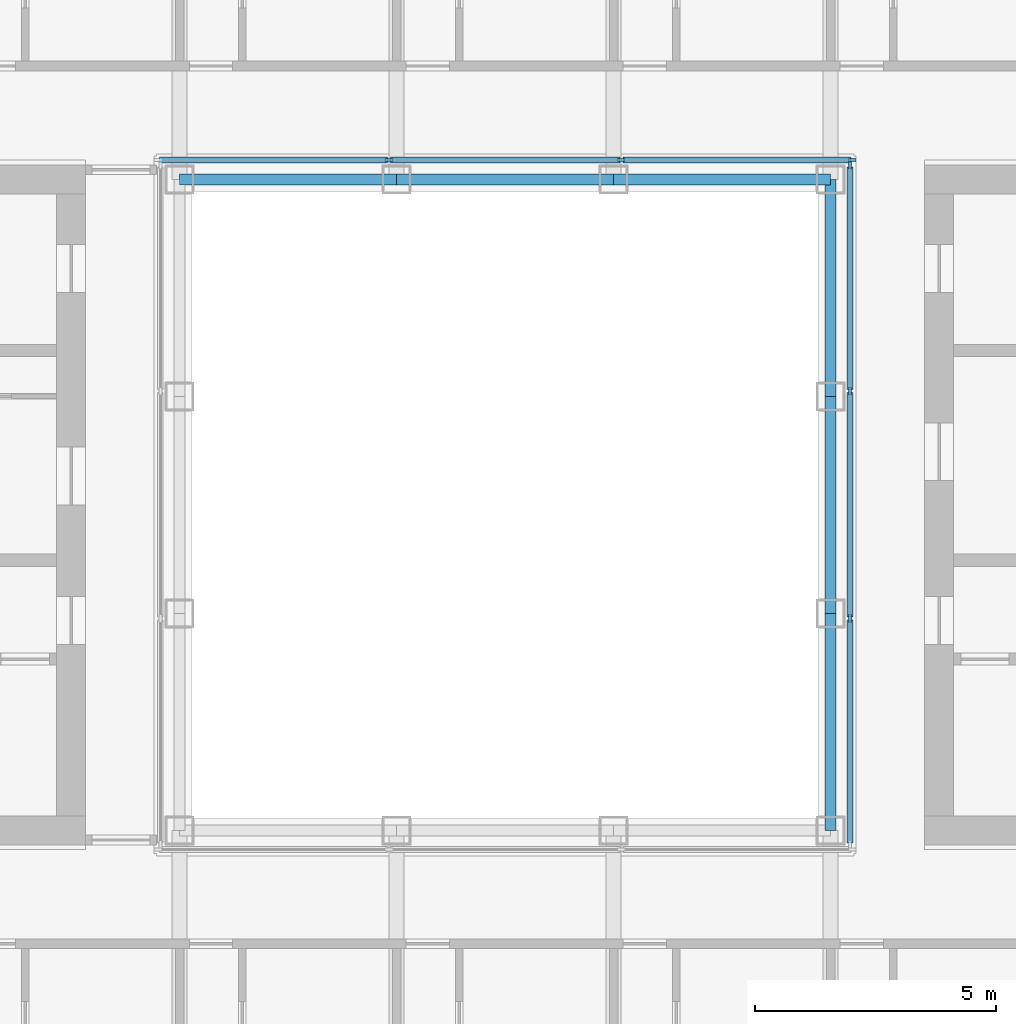
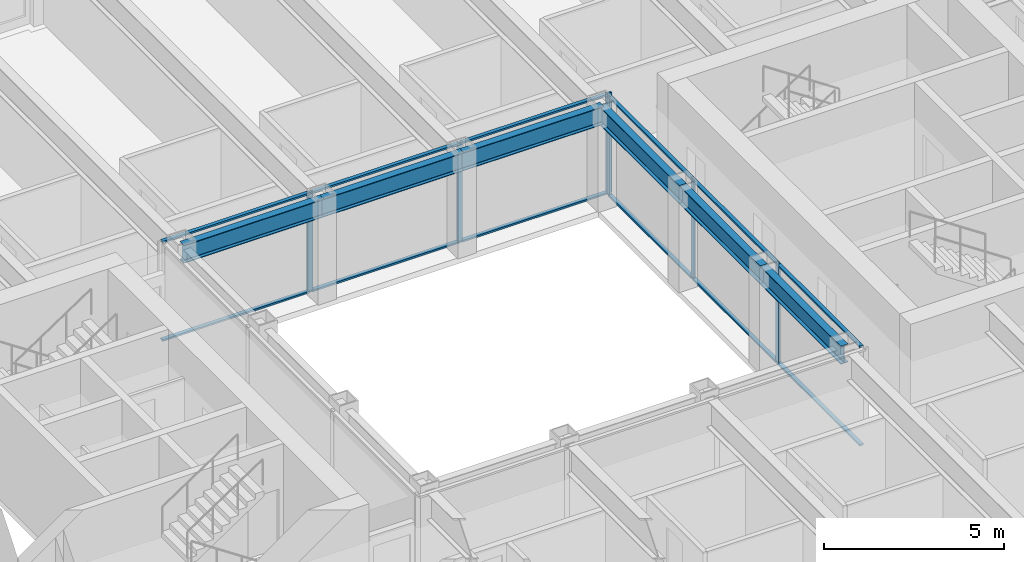
# One storey, part 5 of 18: 18 members, 6 beams, 2 elements without a shape of their own.
"""IFC4 building model written with IfcOpenShell, lengths in metres."""

import ifcopenshell
import ifcopenshell.guid

model = None  # the IFC model being written
_history = None  # IfcOwnerHistory: only IFC2X3 demands one
_inside = {}  # id of a spatial element -> (the spatial element, [elements in it])
_under = {}  # id of a project, library or spatial element -> (it, [spatial elements below it])
_declared = {}  # id of a project -> (the project, [libraries it declares])
_typed = {}  # id of a type object -> (the type object, [elements of that type])
_made_of = {}  # id of a material, layer set ... -> (it, [elements and type objects made of it])


def new_model(schema):
    """Start an empty IFC model of exactly this schema.

    Asked for "IFC4X3", IfcOpenShell would pick the latest addendum, in which some entities
    have other attributes; the version numbers below select the first issue.
    IFC2X3 requires an IfcOwnerHistory on every rooted entity: one is made here for all.
    """
    global model, _history
    if schema == "IFC4X3":
        model = ifcopenshell.file(schema_version=(4, 3, 0, 0))
    else:
        model = ifcopenshell.file(schema=schema)
    _inside.clear()
    _under.clear()
    _declared.clear()
    _typed.clear()
    _made_of.clear()
    _history = None
    if model.schema == "IFC2X3":
        org = make("IfcOrganization", Name="unknown")
        user = make(
            "IfcPersonAndOrganization",
            ThePerson=make("IfcPerson", FamilyName="unknown"),
            TheOrganization=org,
        )
        app = make(
            "IfcApplication",
            ApplicationDeveloper=org,
            Version="unknown",
            ApplicationFullName="unknown",
            ApplicationIdentifier="unknown",
        )
        _history = make(
            "IfcOwnerHistory",
            OwningUser=user,
            OwningApplication=app,
            ChangeAction="ADDED",
            CreationDate=0,
        )
    return model


def make(cls, **values):
    """One entity of the class cls with the attributes given. An attribute that is None is left unset."""
    return model.create_entity(
        cls, **{name: value for name, value in values.items() if value is not None}
    )


def rooted(cls, **values):
    """An entity with a GlobalId (a new one), such as an element, a storey or a relation."""
    return make(cls, GlobalId=ifcopenshell.guid.new(), OwnerHistory=_history, **values)


def si_unit(unit_type, name, prefix=None):
    """IfcSIUnit, for example si_unit("LENGTHUNIT", "METRE", prefix="MILLI")."""
    return make("IfcSIUnit", UnitType=unit_type, Prefix=prefix, Name=name)


def assignment(units):
    """IfcUnitAssignment: the units of a project."""
    return None if units is None else make("IfcUnitAssignment", Units=units)


def point(xyz):
    """IfcCartesianPoint."""
    return None if xyz is None else make("IfcCartesianPoint", Coordinates=xyz)


def direction(xyz):
    """IfcDirection."""
    return None if xyz is None else make("IfcDirection", DirectionRatios=xyz)


def frame(location, z_axis=None, x_axis=None):
    """IfcAxis2Placement3D, a coordinate frame: its origin and axes. An axis left out is left unset."""
    return make(
        "IfcAxis2Placement3D",
        Location=point(location),
        Axis=direction(z_axis),
        RefDirection=direction(x_axis),
    )


def frame_2d(location, x_axis=None):
    """IfcAxis2Placement2D, a coordinate frame in the plane: its origin and x axis."""
    return make(
        "IfcAxis2Placement2D", Location=point(location), RefDirection=direction(x_axis)
    )


def origin():
    """The frame at (0, 0, 0) with its axes left unset."""
    return frame((0.0, 0.0, 0.0))


def origin_2d():
    """The frame at (0, 0) in the plane with its x axis left unset."""
    return frame_2d((0.0, 0.0))


def place(relative_to, where):
    """IfcLocalPlacement: puts the frame where relative to a parent placement (None: the world)."""
    return make(
        "IfcLocalPlacement", PlacementRelTo=relative_to, RelativePlacement=where
    )


def context(
    kind, dimensions, precision=None, world=None, true_north=None, identifier=None
):
    """IfcGeometricRepresentationContext, for example the 3D "Model" context."""
    return make(
        "IfcGeometricRepresentationContext",
        ContextIdentifier=identifier,
        ContextType=kind,
        CoordinateSpaceDimension=dimensions,
        Precision=precision,
        WorldCoordinateSystem=world,
        TrueNorth=true_north,
    )


def subcontext(parent, identifier, kind, view, scale=None):
    """IfcGeometricRepresentationSubContext, for example "Body" below "Model"."""
    return make(
        "IfcGeometricRepresentationSubContext",
        ContextIdentifier=identifier,
        ContextType=kind,
        ParentContext=parent,
        TargetScale=scale,
        TargetView=view,
    )


def project(units=None, contexts=None):
    """IfcProject with its units and contexts."""
    return rooted(
        "IfcProject",
        Name="project",
        RepresentationContexts=contexts,
        UnitsInContext=assignment(units),
    )


def spatial(cls, under=None, at=None, **own):
    """A site, building, storey or space (cls), placed at a placement, below another one or the project."""
    s = rooted(cls, ObjectPlacement=at, **own)
    if under is not None:
        _under.setdefault(under.id(), (under, []))[1].append(s)
    return s


def profile(cls, at=None, kind="AREA", **sizes):
    """A parametric profile (cls). Its sizes go by their IFC names, for example OverallWidth=200.0."""
    return make(cls, ProfileType=kind, Position=at, **sizes)


def rectangle(**sizes):
    """IfcRectangleProfileDef."""
    return profile("IfcRectangleProfileDef", **sizes)


def i_section(**sizes):
    """IfcIShapeProfileDef."""
    return profile("IfcIShapeProfileDef", **sizes)


def extrude(swept, where, along, depth):
    """IfcExtrudedAreaSolid: the profile swept, set in the frame where, extruded along a direction by depth."""
    return make(
        "IfcExtrudedAreaSolid",
        SweptArea=swept,
        Position=where,
        ExtrudedDirection=direction(along),
        Depth=depth,
    )


def shape(context_of_items, identifier, shape_type, items):
    """IfcShapeRepresentation: the items that make up one representation, for example the "Body"."""
    return make(
        "IfcShapeRepresentation",
        ContextOfItems=context_of_items,
        RepresentationIdentifier=identifier,
        RepresentationType=shape_type,
        Items=items,
    )


def material(Name=None, Category=None):
    """IfcMaterial."""
    return make("IfcMaterial", Name=Name, Category=Category)


def material_profile(
    of_material, cross_section, Name=None, Category=None, Priority=None
):
    """IfcMaterialProfile: a cross section and its material."""
    return make(
        "IfcMaterialProfile",
        Name=Name,
        Material=of_material,
        Profile=cross_section,
        Priority=Priority,
        Category=Category,
    )


def profile_set(profiles, Name=None, composite=None):
    """IfcMaterialProfileSet."""
    return make(
        "IfcMaterialProfileSet",
        Name=Name,
        MaterialProfiles=profiles,
        CompositeProfile=composite,
    )


def made_of(thing, what):
    """Note that an element or type object is made of a material, layer set ...; save() writes the relation."""
    if what is not None:
        _made_of.setdefault(what.id(), (what, []))[1].append(thing)
    return thing


def type_object(cls, material=None, **own):
    """A type object (cls), such as IfcWallType, which elements share."""
    return made_of(rooted(cls, **own), material)


def element(
    cls,
    number,
    at=None,
    inside=None,
    cuts=None,
    type_object=None,
    material=None,
    context=None,
    identifier="Body",
    shape_type=None,
    held_by="IfcProductDefinitionShape",
    body=None,
    shapes=None,
    **own,
):
    """One element of the class cls, such as IfcWall. Its Tag is "e" and its number.

    at: its placement. inside: the storey or other place that contains it. cuts: it is an
    opening in that element (IfcRelVoidsElement). A single representation is given by context,
    identifier, shape_type and body (its items); several are given by shapes. held_by: the class
    of the entity that holds the representations. save() writes the other relations.
    """
    e = rooted(cls, Tag="e%d" % number, ObjectPlacement=at, **own)
    if body is not None:
        shapes = [shape(context, identifier, shape_type, body)]
    if shapes is not None:
        e.Representation = make(held_by, Representations=shapes)
    if inside is not None:
        _inside.setdefault(inside.id(), (inside, []))[1].append(e)
    if cuts is not None:
        rooted(
            "IfcRelVoidsElement", RelatingBuildingElement=cuts, RelatedOpeningElement=e
        )
    if type_object is not None:
        _typed.setdefault(type_object.id(), (type_object, []))[1].append(e)
    return made_of(e, material)


def aggregate(whole, parts):
    """IfcRelAggregates: a whole, such as a stair, and the parts it consists of."""
    return rooted("IfcRelAggregates", RelatingObject=whole, RelatedObjects=parts)


def save(model, path):
    """Write the relations noted so far, then the file.

    IfcRelAggregates (storeys below a building ...), IfcRelContainedInSpatialStructure (elements
    in a storey), IfcRelDefinesByType, IfcRelAssociatesMaterial and IfcRelDeclares: one each for
    every whole, place, type object, material and project.
    """
    for whole, parts in _under.values():
        aggregate(whole, parts)
    for where, things in _inside.values():
        rooted(
            "IfcRelContainedInSpatialStructure",
            RelatedElements=things,
            RelatingStructure=where,
        )
    for kind, things in _typed.values():
        rooted("IfcRelDefinesByType", RelatedObjects=things, RelatingType=kind)
    for what, things in _made_of.values():
        rooted("IfcRelAssociatesMaterial", RelatedObjects=things, RelatingMaterial=what)
    for by, libraries in _declared.values():
        rooted("IfcRelDeclares", RelatingContext=by, RelatedDefinitions=libraries)
    model.write(path)


model = new_model("IFC4")

# Units and contexts
model_context = context("Model", 3, precision=1e-05, world=origin(), true_north=direction((0.0, 1.0)))
body_context = subcontext(model_context, "Body", "Model", "MODEL_VIEW")
ifc_project = project(units=[si_unit("LENGTHUNIT", "METRE"), si_unit("AREAUNIT", "SQUARE_METRE"), si_unit("VOLUMEUNIT", "CUBIC_METRE"), si_unit("PLANEANGLEUNIT", "RADIAN"), si_unit("MASSUNIT", "GRAM", prefix="KILO")], contexts=[model_context])

# Site, building, storey
site_placement = place(None, origin())
site = spatial("IfcSite", under=ifc_project, at=site_placement, CompositionType="ELEMENT")
building_placement = place(site_placement, origin())
building = spatial("IfcBuilding", under=site, at=building_placement, Name="Msasa Ring Tower", CompositionType="ELEMENT")
storey_placement = place(building_placement, frame((0.0, 0.0, 125.60009765625)))
storey = spatial("IfcBuildingStorey", under=building, at=storey_placement, Name="L32", CompositionType="ELEMENT", Elevation=125.60009765625)

# Curtain wall, members
ifc_material_1 = material(Name="Aluminium curtain wall with clear glass", Category="aluminium")
curtain_wall_type = type_object("IfcCurtainWallType", Name="CW-W LIGHT WELL CURTAIN WALL", PredefinedType="NOTDEFINED", material=ifc_material_1)
curtain_wall_1_placement = place(storey_placement, origin())
curtain_wall_1 = element("IfcCurtainWall", 1, at=curtain_wall_1_placement, inside=storey, type_object=curtain_wall_type, Name="Light well curtain wall N L32", PredefinedType="NOTDEFINED")
ifc_material_2 = material(Name="Aluminium mullion", Category="aluminium")
ifc_material_profile_1 = material_profile(ifc_material_2, rectangle(XDim=0.06005859375, YDim=0.159912109375, at=origin_2d()), Name="AL 60x160")
ifc_profile_set_1 = profile_set([ifc_material_profile_1], Name="Aluminium mullion")
member_type_1 = type_object("IfcMemberType", Name="CW-W MULLION 60x160", PredefinedType="MULLION", material=ifc_profile_set_1)
member_1_placement = place(storey_placement, frame((-2.409912109375, 7.14990234375, 0.0), z_axis=(0.0, 0.0, 1.0), x_axis=(0.0, 1.0, 0.0)))
member_1 = element("IfcMember", 2, at=member_1_placement, type_object=member_type_1, Name="CW-W mullion 2", PredefinedType="MULLION", context=body_context, shape_type="SweptSolid", body=[
    extrude(rectangle(XDim=0.06005859375, YDim=0.159912109375, at=origin_2d()), origin(), (0.0, 0.0, 1.0), 3.39990234375),
])
member_2_placement = place(storey_placement, frame((2.409912109375, 7.14990234375, 0.0), z_axis=(0.0, 0.0, 1.0), x_axis=(0.0, 1.0, 0.0)))
member_2 = element("IfcMember", 3, at=member_2_placement, type_object=member_type_1, Name="CW-W mullion 3", PredefinedType="MULLION", context=body_context, shape_type="SweptSolid", body=[
    extrude(rectangle(XDim=0.06005859375, YDim=0.159912109375, at=origin_2d()), origin(), (0.0, 0.0, 1.0), 3.39990234375),
])
member_3_placement = place(storey_placement, frame((7.199951171875, 7.14990234375, 0.0), z_axis=(0.0, 0.0, 1.0), x_axis=(0.0, 1.0, 0.0)))
member_3 = element("IfcMember", 4, at=member_3_placement, type_object=member_type_1, Name="CW-W mullion 4", PredefinedType="MULLION", context=body_context, shape_type="SweptSolid", body=[
    extrude(rectangle(XDim=0.06005859375, YDim=0.159912109375, at=origin_2d()), origin(), (0.0, 0.0, 1.0), 3.39990234375),
])

curtain_wall_2_placement = place(storey_placement, origin())
curtain_wall_2 = element("IfcCurtainWall", 5, at=curtain_wall_2_placement, inside=storey, type_object=curtain_wall_type, Name="Light well curtain wall E L32", PredefinedType="NOTDEFINED")
member_4_placement = place(storey_placement, frame((7.14990234375, -2.356689453125, 0.0), z_axis=(0.0, 0.0, 1.0), x_axis=(-1.0, 0.0, 0.0)))
member_4 = element("IfcMember", 6, at=member_4_placement, type_object=member_type_1, Name="CW-W mullion 2", PredefinedType="MULLION", context=body_context, shape_type="SweptSolid", body=[
    extrude(rectangle(XDim=0.06005859375, YDim=0.159912109375, at=origin_2d()), origin(), (0.0, 0.0, 1.0), 3.39990234375),
])
member_5_placement = place(storey_placement, frame((7.14990234375, 2.356689453125, 0.0), z_axis=(0.0, 0.0, 1.0), x_axis=(-1.0, 0.0, 0.0)))
member_5 = element("IfcMember", 7, at=member_5_placement, type_object=member_type_1, Name="CW-W mullion 3", PredefinedType="MULLION", context=body_context, shape_type="SweptSolid", body=[
    extrude(rectangle(XDim=0.06005859375, YDim=0.159912109375, at=origin_2d()), origin(), (0.0, 0.0, 1.0), 3.39990234375),
])
member_6_placement = place(storey_placement, frame((7.14990234375, 7.0400390625, 0.0), z_axis=(0.0, 0.0, 1.0), x_axis=(-1.0, 0.0, 0.0)))
member_6 = element("IfcMember", 8, at=member_6_placement, type_object=member_type_1, Name="CW-W mullion 4", PredefinedType="MULLION", context=body_context, shape_type="SweptSolid", body=[
    extrude(rectangle(XDim=0.06005859375, YDim=0.159912109375, at=origin_2d()), origin(), (0.0, 0.0, 1.0), 3.39990234375),
])

# Member
ifc_material_3 = material(Name="Aluminium transom", Category="aluminium")
ifc_material_profile_2 = material_profile(ifc_material_3, rectangle(XDim=0.1201171875, YDim=0.06005859375, at=origin_2d()), Name="AL 60x120")
ifc_profile_set_2 = profile_set([ifc_material_profile_2], Name="Aluminium transom")
member_type_2 = type_object("IfcMemberType", Name="CW-W TRANSOM 60x120", PredefinedType="USERDEFINED", material=ifc_profile_set_2)
member_7_placement = place(storey_placement, frame((-7.169921875, 7.14990234375, 0.02978515625), z_axis=(1.0, 0.0, 0.0), x_axis=(0.0, 1.0, 0.0)))
member_7 = element("IfcMember", 9, at=member_7_placement, type_object=member_type_2, Name="CW-W transom 1.1", ObjectType="TRANSOM", PredefinedType="USERDEFINED", context=body_context, shape_type="SweptSolid", body=[
    extrude(rectangle(XDim=0.1201171875, YDim=0.06005859375, at=origin_2d()), origin(), (0.0, 0.0, 1.0), 4.72998046875),
])

member_8_placement = place(storey_placement, frame((-7.169921875, 7.14990234375, 3.369873046875), z_axis=(1.0, 0.0, 0.0), x_axis=(0.0, 1.0, 0.0)))
member_8 = element("IfcMember", 10, at=member_8_placement, type_object=member_type_2, Name="CW-W transom 1.2", ObjectType="TRANSOM", PredefinedType="USERDEFINED", context=body_context, shape_type="SweptSolid", body=[
    extrude(rectangle(XDim=0.1201171875, YDim=0.06005859375, at=origin_2d()), origin(), (0.0, 0.0, 1.0), 4.72998046875),
])

member_9_placement = place(storey_placement, frame((-2.3798828125, 7.14990234375, 0.02978515625), z_axis=(1.0, 0.0, 0.0), x_axis=(0.0, 1.0, 0.0)))
member_9 = element("IfcMember", 11, at=member_9_placement, type_object=member_type_2, Name="CW-W transom 2.1", ObjectType="TRANSOM", PredefinedType="USERDEFINED", context=body_context, shape_type="SweptSolid", body=[
    extrude(rectangle(XDim=0.1201171875, YDim=0.06005859375, at=origin_2d()), origin(), (0.0, 0.0, 1.0), 4.759765625),
])

member_10_placement = place(storey_placement, frame((-2.3798828125, 7.14990234375, 3.369873046875), z_axis=(1.0, 0.0, 0.0), x_axis=(0.0, 1.0, 0.0)))
member_10 = element("IfcMember", 12, at=member_10_placement, type_object=member_type_2, Name="CW-W transom 2.2", ObjectType="TRANSOM", PredefinedType="USERDEFINED", context=body_context, shape_type="SweptSolid", body=[
    extrude(rectangle(XDim=0.1201171875, YDim=0.06005859375, at=origin_2d()), origin(), (0.0, 0.0, 1.0), 4.759765625),
])

member_11_placement = place(storey_placement, frame((2.43994140625, 7.14990234375, 0.02978515625), z_axis=(1.0, 0.0, 0.0), x_axis=(0.0, 1.0, 0.0)))
member_11 = element("IfcMember", 13, at=member_11_placement, type_object=member_type_2, Name="CW-W transom 3.1", ObjectType="TRANSOM", PredefinedType="USERDEFINED", context=body_context, shape_type="SweptSolid", body=[
    extrude(rectangle(XDim=0.1201171875, YDim=0.06005859375, at=origin_2d()), origin(), (0.0, 0.0, 1.0), 4.72998046875),
])

member_12_placement = place(storey_placement, frame((2.43994140625, 7.14990234375, 3.369873046875), z_axis=(1.0, 0.0, 0.0), x_axis=(0.0, 1.0, 0.0)))
member_12 = element("IfcMember", 14, at=member_12_placement, type_object=member_type_2, Name="CW-W transom 3.2", ObjectType="TRANSOM", PredefinedType="USERDEFINED", context=body_context, shape_type="SweptSolid", body=[
    extrude(rectangle(XDim=0.1201171875, YDim=0.06005859375, at=origin_2d()), origin(), (0.0, 0.0, 1.0), 4.72998046875),
])

aggregate(curtain_wall_1, [member_1, member_2, member_3, member_7, member_8, member_9, member_10, member_11, member_12])

member_13_placement = place(storey_placement, frame((7.14990234375, -7.010009765625, 0.02978515625), z_axis=(0.0, 1.0, 0.0), x_axis=(-1.0, 0.0, 0.0)))
member_13 = element("IfcMember", 15, at=member_13_placement, type_object=member_type_2, Name="CW-W transom 1.1", ObjectType="TRANSOM", PredefinedType="USERDEFINED", context=body_context, shape_type="SweptSolid", body=[
    extrude(rectangle(XDim=0.1201171875, YDim=0.06005859375, at=origin_2d()), origin(), (0.0, 0.0, 1.0), 4.623291015625),
])

member_14_placement = place(storey_placement, frame((7.14990234375, -7.010009765625, 3.369873046875), z_axis=(0.0, 1.0, 0.0), x_axis=(-1.0, 0.0, 0.0)))
member_14 = element("IfcMember", 16, at=member_14_placement, type_object=member_type_2, Name="CW-W transom 1.2", ObjectType="TRANSOM", PredefinedType="USERDEFINED", context=body_context, shape_type="SweptSolid", body=[
    extrude(rectangle(XDim=0.1201171875, YDim=0.06005859375, at=origin_2d()), origin(), (0.0, 0.0, 1.0), 4.623291015625),
])

member_15_placement = place(storey_placement, frame((7.14990234375, -2.32666015625, 0.02978515625), z_axis=(0.0, 1.0, 0.0), x_axis=(-1.0, 0.0, 0.0)))
member_15 = element("IfcMember", 17, at=member_15_placement, type_object=member_type_2, Name="CW-W transom 2.1", ObjectType="TRANSOM", PredefinedType="USERDEFINED", context=body_context, shape_type="SweptSolid", body=[
    extrude(rectangle(XDim=0.1201171875, YDim=0.06005859375, at=origin_2d()), origin(), (0.0, 0.0, 1.0), 4.6533203125),
])

member_16_placement = place(storey_placement, frame((7.14990234375, -2.32666015625, 3.369873046875), z_axis=(0.0, 1.0, 0.0), x_axis=(-1.0, 0.0, 0.0)))
member_16 = element("IfcMember", 18, at=member_16_placement, type_object=member_type_2, Name="CW-W transom 2.2", ObjectType="TRANSOM", PredefinedType="USERDEFINED", context=body_context, shape_type="SweptSolid", body=[
    extrude(rectangle(XDim=0.1201171875, YDim=0.06005859375, at=origin_2d()), origin(), (0.0, 0.0, 1.0), 4.6533203125),
])

member_17_placement = place(storey_placement, frame((7.14990234375, 2.38671875, 0.02978515625), z_axis=(0.0, 1.0, 0.0), x_axis=(-1.0, 0.0, 0.0)))
member_17 = element("IfcMember", 19, at=member_17_placement, type_object=member_type_2, Name="CW-W transom 3.1", ObjectType="TRANSOM", PredefinedType="USERDEFINED", context=body_context, shape_type="SweptSolid", body=[
    extrude(rectangle(XDim=0.1201171875, YDim=0.06005859375, at=origin_2d()), origin(), (0.0, 0.0, 1.0), 4.623291015625),
])

member_18_placement = place(storey_placement, frame((7.14990234375, 2.38671875, 3.369873046875), z_axis=(0.0, 1.0, 0.0), x_axis=(-1.0, 0.0, 0.0)))
member_18 = element("IfcMember", 20, at=member_18_placement, type_object=member_type_2, Name="CW-W transom 3.2", ObjectType="TRANSOM", PredefinedType="USERDEFINED", context=body_context, shape_type="SweptSolid", body=[
    extrude(rectangle(XDim=0.1201171875, YDim=0.06005859375, at=origin_2d()), origin(), (0.0, 0.0, 1.0), 4.623291015625),
])

aggregate(curtain_wall_2, [member_4, member_5, member_6, member_13, member_14, member_15, member_16, member_17, member_18])

# Beams
ifc_material_4 = material(Name="Steel S355", Category="steel")
ifc_material_profile_3 = material_profile(ifc_material_4, i_section(OverallWidth=0.230224609375, OverallDepth=0.6171875, WebThickness=0.01318359375, FlangeThickness=0.022216796875, FilletRadius=0.0126953125, at=origin_2d()), Name="UB 610x229x140")
ifc_profile_set_3 = profile_set([ifc_material_profile_3], Name="Steel S355")
beam_type = type_object("IfcBeamType", Name="RB1 UB 610x229x140", PredefinedType="BEAM", material=ifc_profile_set_3)
for number, where, z_axis, x_axis, name in (
    (21, (6.75, -6.75, 3.09130859375), (0.0, 1.0, 0.0), (-1.0, 0.0, 0.0), "Inner ring beam IR+6.75-6.75 under L33"),
    (22, (6.75, -2.25, 3.09130859375), (0.0, 1.0, 0.0), (-1.0, 0.0, 0.0), "Inner ring beam IR+6.75-2.25 under L33"),
    (23, (6.75, 2.25, 3.09130859375), (0.0, 1.0, 0.0), (-1.0, 0.0, 0.0), "Inner ring beam IR+6.75+2.25 under L33"),
    (24, (6.75, 6.75, 3.09130859375), (-1.0, 0.0, 0.0), (0.0, -1.0, 0.0), "Inner ring beam IR+6.75+6.75 under L33"),
    (25, (2.25, 6.75, 3.09130859375), (-1.0, 0.0, 0.0), (0.0, -1.0, 0.0), "Inner ring beam IR+2.25+6.75 under L33"),
    (26, (-2.25, 6.75, 3.09130859375), (-1.0, 0.0, 0.0), (0.0, -1.0, 0.0), "Inner ring beam IR-2.25+6.75 under L33"),
):
    element("IfcBeam", number, at=place(storey_placement, frame(where, z_axis=z_axis, x_axis=x_axis)), inside=storey, type_object=beam_type, Name=name, PredefinedType="BEAM", context=body_context, shape_type="SweptSolid", body=[
        extrude(i_section(OverallWidth=0.230224609375, OverallDepth=0.6171875, WebThickness=0.01318359375, FlangeThickness=0.022216796875, FilletRadius=0.0126953125, at=origin_2d()), origin(), (0.0, 0.0, 1.0), 4.5),
    ])

save(model, "model.ifc")
